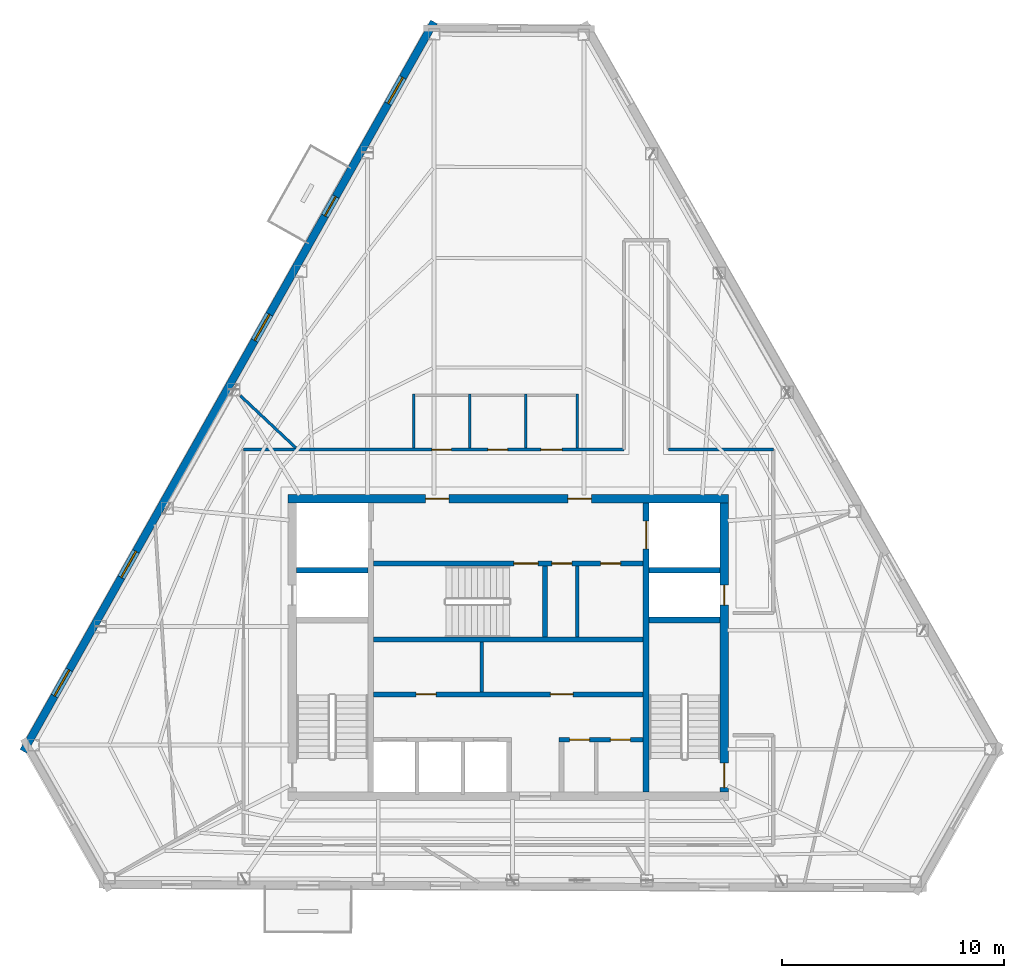
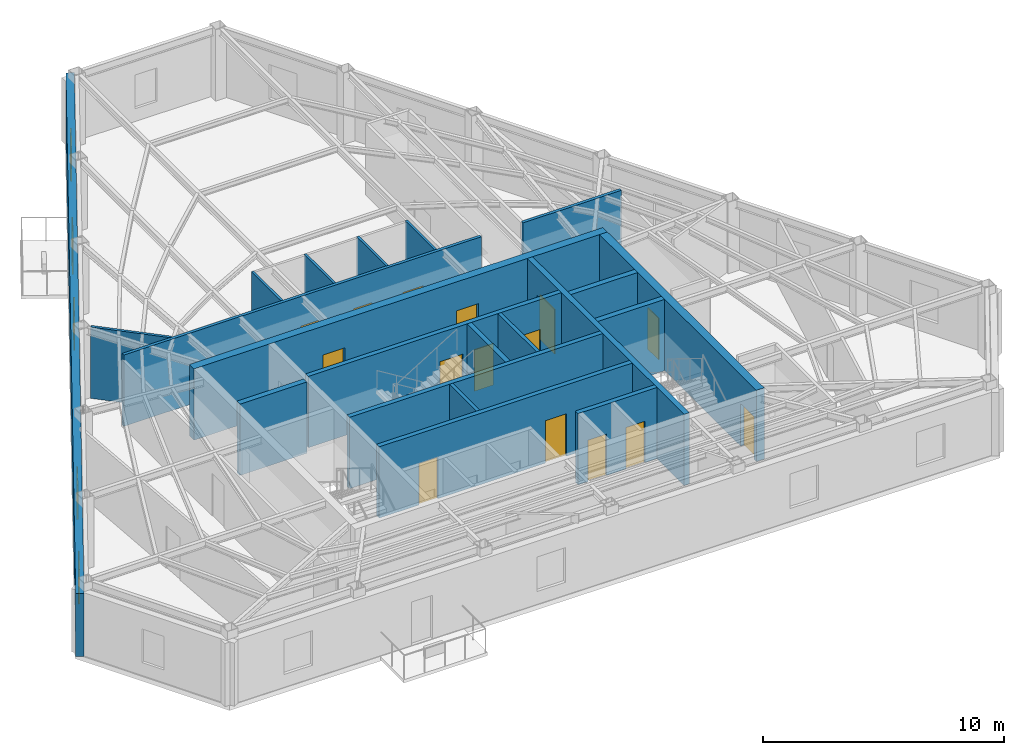
# One storey, part 8 of 10: 21 walls, 16 doors, 4 windows, 20 openings.
"""IFC4 building model written with IfcOpenShell, lengths in metres."""

from ifc_helpers import new_model, si_unit, direction, frame, frame_2d, origin, place, context, subcontext, project, spatial, rectangle, extrude, material, layer, layer_set, type_object, element, fill, save


model = new_model("IFC4")

# Units and contexts
model_context = context("Model", 3, precision=1e-05, world=origin(), true_north=direction((0.0, 1.0)))
body_context = subcontext(model_context, "Body", "Model", "MODEL_VIEW")
ifc_project = project(units=[si_unit("LENGTHUNIT", "METRE"), si_unit("AREAUNIT", "SQUARE_METRE"), si_unit("VOLUMEUNIT", "CUBIC_METRE"), si_unit("PLANEANGLEUNIT", "RADIAN"), si_unit("MASSUNIT", "GRAM", prefix="KILO")], contexts=[model_context])

# Site, building, storey
site_placement = place(None, origin())
site = spatial("IfcSite", under=ifc_project, at=site_placement, CompositionType="ELEMENT")
building_placement = place(site_placement, origin())
building = spatial("IfcBuilding", under=site, at=building_placement, Name="Kavelnor Concourse Tower", CompositionType="ELEMENT")
storey_placement = place(building_placement, frame((0.0, 0.0, 239.5)))
storey = spatial("IfcBuildingStorey", under=building, at=storey_placement, Name="L60", CompositionType="ELEMENT", Elevation=239.5)

# Wall, openings, doors
ifc_material_1 = material(Name="Concrete C50/60", Category="concrete")
ifc_layer_1 = layer(ifc_material_1, 0.3798828125, Name="Concrete C50/60")
ifc_layer_set_1 = layer_set([ifc_layer_1], Name="Concrete C50/60")
wall_type_1 = type_object("IfcWallType", Name="WL-CORE-Z4-380", PredefinedType="SOLIDWALL", material=ifc_layer_set_1)
wall_1_placement = place(storey_placement, frame((28.10009765625, 22.7900390625, 0.0), z_axis=(0.0, 0.0, 1.0), x_axis=(1.0, 0.0, 0.0)))
wall_1 = element("IfcWall", 1, at=wall_1_placement, inside=storey, type_object=wall_type_1, Name="L60 Central Core North Shear Wall", PredefinedType="SOLIDWALL", context=body_context, shape_type="SweptSolid", body=[
    extrude(rectangle(XDim=19.7998046875, YDim=0.3798828125, at=frame_2d((9.89990234375, 0.0))), origin(), (0.0, 0.0, 1.0), 3.610107421875),
])
opening_1_placement = place(wall_1_placement, frame((6.175048828125, 0.0, 0.0)))
opening_1 = element("IfcOpeningElement", 2, at=opening_1_placement, cuts=wall_1, Name="Opening FD-105", PredefinedType="OPENING", context=body_context, shape_type="SweptSolid", body=[
    extrude(rectangle(XDim=1.050048828125, YDim=2.14990234375, at=frame_2d((0.52490234375, 1.074951171875))), frame((0.0, 0.199951171875, 0.0), z_axis=(0.0, -1.0, 0.0), x_axis=(1.0, 0.0, 0.0)), (0.0, 0.0, 1.0), 0.39990234375),
])
opening_2_placement = place(wall_1_placement, frame((12.574951171875, 0.0, 0.0)))
opening_2 = element("IfcOpeningElement", 3, at=opening_2_placement, cuts=wall_1, Name="Opening FD-105", PredefinedType="OPENING", context=body_context, shape_type="SweptSolid", body=[
    extrude(rectangle(XDim=1.050048828125, YDim=2.14990234375, at=frame_2d((0.52490234375, 1.074951171875))), frame((0.0, 0.199951171875, 0.0), z_axis=(0.0, -1.0, 0.0), x_axis=(1.0, 0.0, 0.0)), (0.0, 0.0, 1.0), 0.39990234375),
])
ifc_material_2 = material(Name="Steel Grade 350", Category="steel")
door_type_1 = type_object("IfcDoorType", Name="DR-LOBBY-FIRE-1050", OperationType="NOTDEFINED", PredefinedType="DOOR", material=ifc_material_2)
door_1_placement = place(opening_1_placement, origin())
door_1 = element("IfcDoor", 4, at=door_1_placement, inside=storey, type_object=door_type_1, Name="L60 Emergency Lift Lobby West Door", OperationType="SINGLE_SWING_LEFT", OverallHeight=2.14990234375, OverallWidth=1.050048828125, PredefinedType="DOOR", context=body_context, shape_type="SweptSolid", body=[
    extrude(rectangle(XDim=1.050048828125, YDim=2.14990234375, at=frame_2d((0.52490234375, 1.074951171875))), frame((0.0, 0.02490234375, 0.0), z_axis=(0.0, -1.0, 0.0), x_axis=(1.0, 0.0, 0.0)), (0.0, 0.0, 1.0), 0.050048828125),
])
fill(opening_1, door_1)
door_2_placement = place(opening_2_placement, origin())
door_2 = element("IfcDoor", 5, at=door_2_placement, inside=storey, type_object=door_type_1, Name="L60 Emergency Lift Lobby East Door", OperationType="SINGLE_SWING_RIGHT", OverallHeight=2.14990234375, OverallWidth=1.050048828125, PredefinedType="DOOR", context=body_context, shape_type="SweptSolid", body=[
    extrude(rectangle(XDim=1.050048828125, YDim=2.14990234375, at=frame_2d((0.52490234375, 1.074951171875))), frame((0.0, 0.02490234375, 0.0), z_axis=(0.0, -1.0, 0.0), x_axis=(1.0, 0.0, 0.0)), (0.0, 0.0, 1.0), 0.050048828125),
])
fill(opening_2, door_2)

wall_2_placement = place(storey_placement, frame((47.7099609375, 9.60009765625, 0.0), z_axis=(0.0, 0.0, 1.0), x_axis=(0.0, 1.0, 0.0)))
wall_2 = element("IfcWall", 6, at=wall_2_placement, inside=storey, type_object=wall_type_1, Name="L60 Central Core East Shear Wall", PredefinedType="SOLIDWALL", context=body_context, shape_type="SweptSolid", body=[
    extrude(rectangle(XDim=13.0, YDim=0.3798828125, at=frame_2d((6.5, 0.0))), origin(), (0.0, 0.0, 1.0), 3.610107421875),
])
opening_3_placement = place(wall_2_placement, frame((0.199951171875, 0.0, 0.0)))
opening_3 = element("IfcOpeningElement", 7, at=opening_3_placement, cuts=wall_2, Name="Opening FD-110", PredefinedType="OPENING", context=body_context, shape_type="SweptSolid", body=[
    extrude(rectangle(XDim=1.10009765625, YDim=2.14990234375, at=frame_2d((0.550048828125, 1.074951171875))), frame((0.0, 0.199951171875, 0.0), z_axis=(0.0, -1.0, 0.0), x_axis=(1.0, 0.0, 0.0)), (0.0, 0.0, 1.0), 0.39990234375),
])
opening_4_placement = place(wall_2_placement, frame((8.39990234375, 0.0, 0.0)))
opening_4 = element("IfcOpeningElement", 8, at=opening_4_placement, cuts=wall_2, Name="Opening FD-090", PredefinedType="OPENING", context=body_context, shape_type="SweptSolid", body=[
    extrude(rectangle(XDim=0.89990234375, YDim=2.10009765625, at=frame_2d((0.449951171875, 1.050048828125))), frame((0.0, 0.199951171875, 0.0), z_axis=(0.0, -1.0, 0.0), x_axis=(1.0, 0.0, 0.0)), (0.0, 0.0, 1.0), 0.39990234375),
])
door_type_2 = type_object("IfcDoorType", Name="DR-RISER-FIRE-900", OperationType="NOTDEFINED", PredefinedType="DOOR", material=ifc_material_2)
door_3_placement = place(opening_4_placement, origin())
door_3 = element("IfcDoor", 9, at=door_3_placement, inside=storey, type_object=door_type_2, Name="L60 East Riser Access Door", OperationType="SINGLE_SWING_LEFT", OverallHeight=2.10009765625, OverallWidth=0.89990234375, PredefinedType="DOOR", context=body_context, shape_type="SweptSolid", body=[
    extrude(rectangle(XDim=0.89990234375, YDim=2.10009765625, at=frame_2d((0.449951171875, 1.050048828125))), frame((0.0, 0.02490234375, 0.0), z_axis=(0.0, -1.0, 0.0), x_axis=(1.0, 0.0, 0.0)), (0.0, 0.0, 1.0), 0.050048828125),
])
fill(opening_4, door_3)
door_type_3 = type_object("IfcDoorType", Name="DR-STAIR-FIRE-1100", OperationType="NOTDEFINED", PredefinedType="DOOR", material=ifc_material_2)
door_4_placement = place(opening_3_placement, origin())
door_4 = element("IfcDoor", 10, at=door_4_placement, inside=storey, type_object=door_type_3, Name="L60 Stair ST2 Fire Door", OperationType="SINGLE_SWING_RIGHT", OverallHeight=2.14990234375, OverallWidth=1.10009765625, PredefinedType="DOOR", context=body_context, shape_type="SweptSolid", body=[
    extrude(rectangle(XDim=1.10009765625, YDim=2.14990234375, at=frame_2d((0.550048828125, 1.074951171875))), frame((0.0, 0.02490234375, 0.0), z_axis=(0.0, -1.0, 0.0), x_axis=(1.0, 0.0, 0.0)), (0.0, 0.0, 1.0), 0.050048828125),
])
fill(opening_3, door_4)

# Wall, openings, door, windows
ifc_material_3 = material(Name="Red-ochre clay face brick masonry", Category="masonry")
ifc_layer_2 = layer(ifc_material_3, 0.35009765625, Name="Red-ochre clay face brick masonry")
ifc_layer_set_2 = layer_set([ifc_layer_2], Name="Red-ochre clay face brick masonry")
wall_type_2 = type_object("IfcWallType", Name="WL-EXT-RED-BRICK-PIER-350", PredefinedType="STANDARD", material=ifc_layer_set_2)
wall_3_placement = place(storey_placement, frame((16.19580078125, 11.427001953125, 0.0), z_axis=(0.0, 0.0, 1.0), x_axis=(0.490622807514, 0.871372056442, 0.0)))
wall_3 = element("IfcWall", 11, at=wall_3_placement, inside=storey, type_object=wall_type_2, Name="L60 Exterior Brick Facade Wall E1", PredefinedType="STANDARD", context=body_context, shape_type="SweptSolid", body=[
    extrude(rectangle(XDim=37.632080078125, YDim=0.35009765625, at=frame_2d((18.81591796875, 0.0))), origin(), (0.0, 0.0, 1.0), 3.196044921875),
])
opening_5_placement = place(wall_3_placement, frame((27.623779296875, 0.0, 0.0)))
opening_5 = element("IfcOpeningElement", 12, at=opening_5_placement, cuts=wall_3, Name="Opening BD-100", PredefinedType="OPENING", context=body_context, shape_type="SweptSolid", body=[
    extrude(rectangle(XDim=1.0, YDim=2.199951171875, at=frame_2d((0.5, 1.10009765625))), frame((0.0, 0.18505859375, 0.0), z_axis=(0.0, -1.0, 0.0), x_axis=(1.0, 0.0, 0.0)), (0.0, 0.0, 1.0), 0.3701171875),
])
opening_6_placement = place(wall_3_placement, frame((33.41845703125, 0.0, 0.64990234375)))
opening_6 = element("IfcOpeningElement", 13, at=opening_6_placement, cuts=wall_3, Name="Opening W-04", PredefinedType="OPENING", context=body_context, shape_type="SweptSolid", body=[
    extrude(rectangle(XDim=1.35009765625, YDim=1.75, at=frame_2d((0.675048828125, 0.875))), frame((0.0, 0.18505859375, 0.0), z_axis=(0.0, -1.0, 0.0), x_axis=(1.0, 0.0, 0.0)), (0.0, 0.0, 1.0), 0.3701171875),
])
opening_7_placement = place(wall_3_placement, frame((21.1923828125, 0.0, 0.64990234375)))
opening_7 = element("IfcOpeningElement", 14, at=opening_7_placement, cuts=wall_3, Name="Opening W-04", PredefinedType="OPENING", context=body_context, shape_type="SweptSolid", body=[
    extrude(rectangle(XDim=1.35009765625, YDim=1.75, at=frame_2d((0.675048828125, 0.875))), frame((0.0, 0.18505859375, 0.0), z_axis=(0.0, -1.0, 0.0), x_axis=(1.0, 0.0, 0.0)), (0.0, 0.0, 1.0), 0.3701171875),
])
opening_8_placement = place(wall_3_placement, frame((8.96630859375, 0.0, 0.64990234375)))
opening_8 = element("IfcOpeningElement", 15, at=opening_8_placement, cuts=wall_3, Name="Opening W-04", PredefinedType="OPENING", context=body_context, shape_type="SweptSolid", body=[
    extrude(rectangle(XDim=1.35009765625, YDim=1.75, at=frame_2d((0.675048828125, 0.875))), frame((0.0, 0.18505859375, 0.0), z_axis=(0.0, -1.0, 0.0), x_axis=(1.0, 0.0, 0.0)), (0.0, 0.0, 1.0), 0.3701171875),
])
opening_9_placement = place(wall_3_placement, frame((2.853271484375, 0.0, 0.64990234375)))
opening_9 = element("IfcOpeningElement", 16, at=opening_9_placement, cuts=wall_3, Name="Opening W-04", PredefinedType="OPENING", context=body_context, shape_type="SweptSolid", body=[
    extrude(rectangle(XDim=1.35009765625, YDim=1.75, at=frame_2d((0.675048828125, 0.875))), frame((0.0, 0.18505859375, 0.0), z_axis=(0.0, -1.0, 0.0), x_axis=(1.0, 0.0, 0.0)), (0.0, 0.0, 1.0), 0.3701171875),
])
ifc_material_4 = material(Name="Anodised aluminium 6063-T6", Category="aluminium")
door_type_4 = type_object("IfcDoorType", Name="DR-BALCONY-EXT-1000", OperationType="NOTDEFINED", PredefinedType="DOOR", material=ifc_material_4)
door_5_placement = place(opening_5_placement, origin())
door_5 = element("IfcDoor", 17, at=door_5_placement, inside=storey, type_object=door_type_4, Name="L60 Tree Balcony 1 Glazed Door", OperationType="SINGLE_SWING_LEFT", OverallHeight=2.199951171875, OverallWidth=1.0, PredefinedType="DOOR", context=body_context, shape_type="SweptSolid", body=[
    extrude(rectangle(XDim=1.0, YDim=2.199951171875, at=frame_2d((0.5, 1.10009765625))), frame((0.0, 0.02490234375, 0.0), z_axis=(0.0, -1.0, 0.0), x_axis=(1.0, 0.0, 0.0)), (0.0, 0.0, 1.0), 0.050048828125),
])
fill(opening_5, door_5)
ifc_material_5 = material(Name="Double low-E argon insulated glazing", Category="glass")
window_type = type_object("IfcWindowType", Name="WIN-PIER-Z4-1350", PartitioningType="SINGLE_PANEL", PredefinedType="WINDOW", material=ifc_material_5)
window_1_placement = place(opening_6_placement, origin())
window_1 = element("IfcWindow", 18, at=window_1_placement, inside=storey, type_object=window_type, Name="L60 Deep-Set Brick Pier Window F0-B0", OverallHeight=1.75, OverallWidth=1.35009765625, PartitioningType="SINGLE_PANEL", PredefinedType="WINDOW", context=body_context, shape_type="SweptSolid", body=[
    extrude(rectangle(XDim=1.35009765625, YDim=1.75, at=frame_2d((0.675048828125, 0.875))), frame((0.0, 0.030029296875, 0.0), z_axis=(0.0, -1.0, 0.0), x_axis=(1.0, 0.0, 0.0)), (0.0, 0.0, 1.0), 0.06005859375),
])
fill(opening_6, window_1)
window_2_placement = place(opening_7_placement, origin())
window_2 = element("IfcWindow", 19, at=window_2_placement, inside=storey, type_object=window_type, Name="L60 Deep-Set Brick Pier Window F0-B2", OverallHeight=1.75, OverallWidth=1.35009765625, PartitioningType="SINGLE_PANEL", PredefinedType="WINDOW", context=body_context, shape_type="SweptSolid", body=[
    extrude(rectangle(XDim=1.35009765625, YDim=1.75, at=frame_2d((0.675048828125, 0.875))), frame((0.0, 0.030029296875, 0.0), z_axis=(0.0, -1.0, 0.0), x_axis=(1.0, 0.0, 0.0)), (0.0, 0.0, 1.0), 0.06005859375),
])
fill(opening_7, window_2)
window_3_placement = place(opening_8_placement, origin())
window_3 = element("IfcWindow", 20, at=window_3_placement, inside=storey, type_object=window_type, Name="L60 Deep-Set Brick Pier Window F0-B4", OverallHeight=1.75, OverallWidth=1.35009765625, PartitioningType="SINGLE_PANEL", PredefinedType="WINDOW", context=body_context, shape_type="SweptSolid", body=[
    extrude(rectangle(XDim=1.35009765625, YDim=1.75, at=frame_2d((0.675048828125, 0.875))), frame((0.0, 0.030029296875, 0.0), z_axis=(0.0, -1.0, 0.0), x_axis=(1.0, 0.0, 0.0)), (0.0, 0.0, 1.0), 0.06005859375),
])
fill(opening_8, window_3)
window_4_placement = place(opening_9_placement, origin())
window_4 = element("IfcWindow", 21, at=window_4_placement, inside=storey, type_object=window_type, Name="L60 Deep-Set Brick Pier Window F0-B5", OverallHeight=1.75, OverallWidth=1.35009765625, PartitioningType="SINGLE_PANEL", PredefinedType="WINDOW", context=body_context, shape_type="SweptSolid", body=[
    extrude(rectangle(XDim=1.35009765625, YDim=1.75, at=frame_2d((0.675048828125, 0.875))), frame((0.0, 0.030029296875, 0.0), z_axis=(0.0, -1.0, 0.0), x_axis=(1.0, 0.0, 0.0)), (0.0, 0.0, 1.0), 0.06005859375),
])
fill(opening_9, window_4)

# Wall
ifc_material_6 = material(Name="Gypsum plasterboard on light-gauge steel studs", Category="steel")
ifc_layer_3 = layer(ifc_material_6, 0.14501953125, Name="Gypsum plasterboard on light-gauge steel studs")
ifc_layer_set_3 = layer_set([ifc_layer_3], Name="Gypsum plasterboard on light-gauge steel studs")
wall_type_3 = type_object("IfcWallType", Name="WL-INT-CORR-145", PredefinedType="PARTITIONING", material=ifc_layer_set_3)
wall_4_placement = place(storey_placement, frame((45.199951171875, 24.989990234375, 0.0), z_axis=(0.0, 0.0, 1.0), x_axis=(1.0, 0.0, 0.0)))
element("IfcWall", 22, at=wall_4_placement, inside=storey, type_object=wall_type_3, Name="L60 Corridor Wall WL-L60-CR-04", PredefinedType="PARTITIONING", context=body_context, shape_type="SweptSolid", body=[
    extrude(rectangle(XDim=4.7099609375, YDim=0.14501953125, at=frame_2d((2.35498046875, 0.0))), origin(), (0.0, 0.0, 1.0), 3.610107421875),
])

# Wall, openings, doors
wall_5_placement = place(storey_placement, frame((26.090087890625, 24.989990234375, 0.0), z_axis=(0.0, 0.0, 1.0), x_axis=(1.0, 0.0, 0.0)))
wall_5 = element("IfcWall", 23, at=wall_5_placement, inside=storey, type_object=wall_type_3, Name="L60 Corridor Wall WL-L60-CR-11", PredefinedType="PARTITIONING", context=body_context, shape_type="SweptSolid", body=[
    extrude(rectangle(XDim=17.10986328125, YDim=0.14501953125, at=frame_2d((8.554931640625, 0.0))), origin(), (0.0, 0.0, 1.0), 3.610107421875),
])
opening_10_placement = place(wall_5_placement, frame((8.469970703125, 0.0, 0.0)))
opening_10 = element("IfcOpeningElement", 24, at=opening_10_placement, cuts=wall_5, Name="Opening WD-088", PredefinedType="OPENING", context=body_context, shape_type="SweptSolid", body=[
    extrude(rectangle(XDim=0.8798828125, YDim=2.10009765625, at=frame_2d((0.43994140625, 1.050048828125))), frame((0.0, 0.08251953125, 0.0), z_axis=(0.0, -1.0, 0.0), x_axis=(1.0, 0.0, 0.0)), (0.0, 0.0, 1.0), 0.1650390625),
])
opening_11_placement = place(wall_5_placement, frame((10.989990234375, 0.0, 0.0)))
opening_11 = element("IfcOpeningElement", 25, at=opening_11_placement, cuts=wall_5, Name="Opening WD-088", PredefinedType="OPENING", context=body_context, shape_type="SweptSolid", body=[
    extrude(rectangle(XDim=0.8798828125, YDim=2.10009765625, at=frame_2d((0.43994140625, 1.050048828125))), frame((0.0, 0.08251953125, 0.0), z_axis=(0.0, -1.0, 0.0), x_axis=(1.0, 0.0, 0.0)), (0.0, 0.0, 1.0), 0.1650390625),
])
opening_12_placement = place(wall_5_placement, frame((13.3701171875, 0.0, 0.0)))
opening_12 = element("IfcOpeningElement", 26, at=opening_12_placement, cuts=wall_5, Name="Opening WD-096", PredefinedType="OPENING", context=body_context, shape_type="SweptSolid", body=[
    extrude(rectangle(XDim=0.9599609375, YDim=2.10009765625, at=frame_2d((0.47998046875, 1.050048828125))), frame((0.0, 0.08251953125, 0.0), z_axis=(0.0, -1.0, 0.0), x_axis=(1.0, 0.0, 0.0)), (0.0, 0.0, 1.0), 0.1650390625),
])
ifc_material_7 = material(Name="Solid-core hardwood timber", Category="wood")
door_type_5 = type_object("IfcDoorType", Name="DR-WC-ACC-960", OperationType="NOTDEFINED", PredefinedType="DOOR", material=ifc_material_7)
door_6_placement = place(opening_12_placement, origin())
door_6 = element("IfcDoor", 27, at=door_6_placement, inside=storey, type_object=door_type_5, Name="L60 Accessible WC Door", OperationType="SINGLE_SWING_RIGHT", OverallHeight=2.10009765625, OverallWidth=0.9599609375, PredefinedType="DOOR", context=body_context, shape_type="SweptSolid", body=[
    extrude(rectangle(XDim=0.9599609375, YDim=2.10009765625, at=frame_2d((0.47998046875, 1.050048828125))), frame((0.0, 0.02490234375, 0.0), z_axis=(0.0, -1.0, 0.0), x_axis=(1.0, 0.0, 0.0)), (0.0, 0.0, 1.0), 0.050048828125),
])
fill(opening_12, door_6)
door_type_6 = type_object("IfcDoorType", Name="DR-WC-STD-880", OperationType="NOTDEFINED", PredefinedType="DOOR", material=ifc_material_7)
door_7_placement = place(opening_10_placement, origin())
door_7 = element("IfcDoor", 28, at=door_7_placement, inside=storey, type_object=door_type_6, Name="L60 Male WC Door", OperationType="SINGLE_SWING_RIGHT", OverallHeight=2.10009765625, OverallWidth=0.8798828125, PredefinedType="DOOR", context=body_context, shape_type="SweptSolid", body=[
    extrude(rectangle(XDim=0.8798828125, YDim=2.10009765625, at=frame_2d((0.43994140625, 1.050048828125))), frame((0.0, 0.02490234375, 0.0), z_axis=(0.0, -1.0, 0.0), x_axis=(1.0, 0.0, 0.0)), (0.0, 0.0, 1.0), 0.050048828125),
])
fill(opening_10, door_7)
door_8_placement = place(opening_11_placement, origin())
door_8 = element("IfcDoor", 29, at=door_8_placement, inside=storey, type_object=door_type_6, Name="L60 Female WC Door", OperationType="SINGLE_SWING_LEFT", OverallHeight=2.10009765625, OverallWidth=0.8798828125, PredefinedType="DOOR", context=body_context, shape_type="SweptSolid", body=[
    extrude(rectangle(XDim=0.8798828125, YDim=2.10009765625, at=frame_2d((0.43994140625, 1.050048828125))), frame((0.0, 0.02490234375, 0.0), z_axis=(0.0, -1.0, 0.0), x_axis=(1.0, 0.0, 0.0)), (0.0, 0.0, 1.0), 0.050048828125),
])
fill(opening_11, door_8)

# Walls
ifc_layer_4 = layer(ifc_material_6, 0.1650390625, Name="Gypsum plasterboard on light-gauge steel studs")
ifc_layer_set_4 = layer_set([ifc_layer_4], Name="Gypsum plasterboard on light-gauge steel studs")
wall_type_4 = type_object("IfcWallType", Name="WL-INT-FIRE-165", PredefinedType="PARTITIONING", material=ifc_layer_set_4)
wall_6_placement = place(storey_placement, frame((36.800048828125, 14.10009765625, 0.0), z_axis=(0.0, 0.0, 1.0), x_axis=(0.0, 1.0, 0.0)))
element("IfcWall", 30, at=wall_6_placement, inside=storey, type_object=wall_type_4, Name="L60 Reclaimed Core Partition A", PredefinedType="PARTITIONING", context=body_context, shape_type="SweptSolid", body=[
    extrude(rectangle(XDim=2.239990234375, YDim=0.1650390625, at=frame_2d((1.1201171875, 0.0))), origin(), (0.0, 0.0, 1.0), 3.610107421875),
])
wall_7_placement = place(storey_placement, frame((41.10009765625, 16.56005859375, 0.0), z_axis=(0.0, 0.0, 1.0), x_axis=(0.0, 1.0, 0.0)))
element("IfcWall", 31, at=wall_7_placement, inside=storey, type_object=wall_type_4, Name="L60 Core Support West Divider", PredefinedType="PARTITIONING", context=body_context, shape_type="SweptSolid", body=[
    extrude(rectangle(XDim=3.199951171875, YDim=0.1650390625, at=frame_2d((1.60009765625, 0.0))), origin(), (0.0, 0.0, 1.0), 3.610107421875),
])
ifc_layer_5 = layer(ifc_material_6, 0.125, Name="Gypsum plasterboard on light-gauge steel studs")
ifc_layer_set_5 = layer_set([ifc_layer_5], Name="Gypsum plasterboard on light-gauge steel studs")
wall_type_5 = type_object("IfcWallType", Name="WL-INT-SUITE-125", PredefinedType="PARTITIONING", material=ifc_layer_set_5)
wall_8_placement = place(storey_placement, frame((28.44580078125, 25.070556640625, 0.0), z_axis=(0.0, 0.0, 1.0), x_axis=(-0.729059244578, 0.684450595657, 0.0)))
element("IfcWall", 32, at=wall_8_placement, inside=storey, type_object=wall_type_5, Name="L60 Radial Suite Partition 02", PredefinedType="PARTITIONING", context=body_context, shape_type="SweptSolid", body=[
    extrude(rectangle(XDim=3.426025390625, YDim=0.125, at=frame_2d((1.712890625, 0.0))), origin(), (0.0, 0.0, 1.0), 3.610107421875),
])
ifc_layer_6 = layer(ifc_material_6, 0.110107421875, Name="Gypsum plasterboard on light-gauge steel studs")
ifc_layer_set_6 = layer_set([ifc_layer_6], Name="Gypsum plasterboard on light-gauge steel studs")
wall_type_6 = type_object("IfcWallType", Name="WL-INT-WC-110", PredefinedType="PLUMBINGWALL", material=ifc_layer_set_6)
for number, where, z_axis, x_axis, name in (
    (33, (33.739990234375, 25.06005859375, 0.0), (0.0, 0.0, 1.0), (0.0, 1.0, 0.0), "L60 Sanitary Partition WL-L60-WC-W"),
    (34, (36.260009765625, 25.06005859375, 0.0), (0.0, 0.0, 1.0), (0.0, 1.0, 0.0), "L60 Sanitary Partition WL-L60-WC-D1"),
    (35, (38.780029296875, 25.06005859375, 0.0), (0.0, 0.0, 1.0), (0.0, 1.0, 0.0), "L60 Sanitary Partition WL-L60-WC-D2"),
    (36, (41.10009765625, 25.06005859375, 0.0), (0.0, 0.0, 1.0), (0.0, 1.0, 0.0), "L60 Sanitary Partition WL-L60-WC-E"),
):
    element("IfcWall", number, at=place(storey_placement, frame(where, z_axis=z_axis, x_axis=x_axis)), inside=storey, type_object=wall_type_6, Name=name, PredefinedType="PLUMBINGWALL", context=body_context, shape_type="SweptSolid", body=[
        extrude(rectangle(XDim=2.43994140625, YDim=0.110107421875, at=frame_2d((1.219970703125, 0.0))), origin(), (0.0, 0.0, 1.0), 3.610107421875),
    ])

# Wall, openings, doors
ifc_layer_7 = layer(ifc_material_1, 0.219970703125, Name="Concrete C50/60")
ifc_layer_set_7 = layer_set([ifc_layer_7], Name="Concrete C50/60")
wall_type_7 = type_object("IfcWallType", Name="WL-SHAFT-220", PredefinedType="SOLIDWALL", material=ifc_layer_set_7)
wall_9_placement = place(storey_placement, frame((31.93994140625, 19.8701171875, 0.0), z_axis=(0.0, 0.0, 1.0), x_axis=(1.0, 0.0, 0.0)))
wall_9 = element("IfcWall", 37, at=wall_9_placement, inside=storey, type_object=wall_type_7, Name="L60 Emergency Lift Lobby South Wall", PredefinedType="SOLIDWALL", context=body_context, shape_type="SweptSolid", body=[
    extrude(rectangle(XDim=12.1201171875, YDim=0.219970703125, at=frame_2d((6.06005859375, 0.0))), origin(), (0.0, 0.0, 1.0), 3.610107421875),
])
opening_13_placement = place(wall_9_placement, frame((6.300048828125, 0.0, 0.0)))
opening_13 = element("IfcOpeningElement", 38, at=opening_13_placement, cuts=wall_9, Name="Opening FD-110", PredefinedType="OPENING", context=body_context, shape_type="SweptSolid", body=[
    extrude(rectangle(XDim=1.10009765625, YDim=2.14990234375, at=frame_2d((0.550048828125, 1.074951171875))), frame((0.0, 0.1201171875, 0.0), z_axis=(0.0, -1.0, 0.0), x_axis=(1.0, 0.0, 0.0)), (0.0, 0.0, 1.0), 0.239990234375),
])
opening_14_placement = place(wall_9_placement, frame((8.010009765625, 0.0, 0.0)))
opening_14 = element("IfcOpeningElement", 39, at=opening_14_placement, cuts=wall_9, Name="Opening FD-090", PredefinedType="OPENING", context=body_context, shape_type="SweptSolid", body=[
    extrude(rectangle(XDim=0.89990234375, YDim=2.10009765625, at=frame_2d((0.449951171875, 1.050048828125))), frame((0.0, 0.1201171875, 0.0), z_axis=(0.0, -1.0, 0.0), x_axis=(1.0, 0.0, 0.0)), (0.0, 0.0, 1.0), 0.239990234375),
])
opening_15_placement = place(wall_9_placement, frame((10.2099609375, 0.0, 0.0)))
opening_15 = element("IfcOpeningElement", 40, at=opening_15_placement, cuts=wall_9, Name="Opening FD-090", PredefinedType="OPENING", context=body_context, shape_type="SweptSolid", body=[
    extrude(rectangle(XDim=0.89990234375, YDim=2.10009765625, at=frame_2d((0.449951171875, 1.050048828125))), frame((0.0, 0.1201171875, 0.0), z_axis=(0.0, -1.0, 0.0), x_axis=(1.0, 0.0, 0.0)), (0.0, 0.0, 1.0), 0.239990234375),
])
door_9_placement = place(opening_14_placement, origin())
door_9 = element("IfcDoor", 41, at=door_9_placement, inside=storey, type_object=door_type_2, Name="L60 Cleaner Door", OperationType="SINGLE_SWING_RIGHT", OverallHeight=2.10009765625, OverallWidth=0.89990234375, PredefinedType="DOOR", context=body_context, shape_type="SweptSolid", body=[
    extrude(rectangle(XDim=0.89990234375, YDim=2.10009765625, at=frame_2d((0.449951171875, 1.050048828125))), frame((0.0, 0.02490234375, 0.0), z_axis=(0.0, -1.0, 0.0), x_axis=(1.0, 0.0, 0.0)), (0.0, 0.0, 1.0), 0.050048828125),
])
fill(opening_14, door_9)
door_10_placement = place(opening_15_placement, origin())
door_10 = element("IfcDoor", 42, at=door_10_placement, inside=storey, type_object=door_type_2, Name="L60 UPS Room Door", OperationType="SINGLE_SWING_LEFT", OverallHeight=2.10009765625, OverallWidth=0.89990234375, PredefinedType="DOOR", context=body_context, shape_type="SweptSolid", body=[
    extrude(rectangle(XDim=0.89990234375, YDim=2.10009765625, at=frame_2d((0.449951171875, 1.050048828125))), frame((0.0, 0.02490234375, 0.0), z_axis=(0.0, -1.0, 0.0), x_axis=(1.0, 0.0, 0.0)), (0.0, 0.0, 1.0), 0.050048828125),
])
fill(opening_15, door_10)
door_11_placement = place(opening_13_placement, origin())
door_11 = element("IfcDoor", 43, at=door_11_placement, inside=storey, type_object=door_type_3, Name="L60 Stair ST3 Fire Door", OperationType="SINGLE_SWING_LEFT", OverallHeight=2.14990234375, OverallWidth=1.10009765625, PredefinedType="DOOR", context=body_context, shape_type="SweptSolid", body=[
    extrude(rectangle(XDim=1.10009765625, YDim=2.14990234375, at=frame_2d((0.550048828125, 1.074951171875))), frame((0.0, 0.02490234375, 0.0), z_axis=(0.0, -1.0, 0.0), x_axis=(1.0, 0.0, 0.0)), (0.0, 0.0, 1.0), 0.050048828125),
])
fill(opening_13, door_11)

# Walls
wall_10_placement = place(storey_placement, frame((31.93994140625, 16.449951171875, 0.0), z_axis=(0.0, 0.0, 1.0), x_axis=(1.0, 0.0, 0.0)))
element("IfcWall", 44, at=wall_10_placement, inside=storey, type_object=wall_type_7, Name="L60 Stair ST3 South Core Wall", PredefinedType="SOLIDWALL", context=body_context, shape_type="SweptSolid", body=[
    extrude(rectangle(XDim=12.1201171875, YDim=0.219970703125, at=frame_2d((6.06005859375, 0.0))), origin(), (0.0, 0.0, 1.0), 3.610107421875),
])
wall_11_placement = place(storey_placement, frame((39.64990234375, 16.56005859375, 0.0), z_axis=(0.0, 0.0, 1.0), x_axis=(0.0, 1.0, 0.0)))
element("IfcWall", 45, at=wall_11_placement, inside=storey, type_object=wall_type_7, Name="L60 Stair ST3 East Core Wall", PredefinedType="SOLIDWALL", context=body_context, shape_type="SweptSolid", body=[
    extrude(rectangle(XDim=3.199951171875, YDim=0.219970703125, at=frame_2d((1.60009765625, 0.0))), origin(), (0.0, 0.0, 1.0), 3.610107421875),
])

# Wall, openings, doors
wall_12_placement = place(storey_placement, frame((31.93994140625, 13.989990234375, 0.0), z_axis=(0.0, 0.0, 1.0), x_axis=(1.0, 0.0, 0.0)))
wall_12 = element("IfcWall", 46, at=wall_12_placement, inside=storey, type_object=wall_type_7, Name="L60 North Lift Row Shaft Wall", PredefinedType="SOLIDWALL", context=body_context, shape_type="SweptSolid", body=[
    extrude(rectangle(XDim=12.1201171875, YDim=0.219970703125, at=frame_2d((6.06005859375, 0.0))), origin(), (0.0, 0.0, 1.0), 3.610107421875),
])
opening_16_placement = place(wall_12_placement, frame((1.909912109375, 0.0, 0.0)))
opening_16 = element("IfcOpeningElement", 47, at=opening_16_placement, cuts=wall_12, Name="Opening FD-090", PredefinedType="OPENING", context=body_context, shape_type="SweptSolid", body=[
    extrude(rectangle(XDim=0.89990234375, YDim=2.10009765625, at=frame_2d((0.449951171875, 1.050048828125))), frame((0.0, 0.1201171875, 0.0), z_axis=(0.0, -1.0, 0.0), x_axis=(1.0, 0.0, 0.0)), (0.0, 0.0, 1.0), 0.239990234375),
])
opening_17_placement = place(wall_12_placement, frame((7.949951171875, 0.0, 0.0)))
opening_17 = element("IfcOpeningElement", 48, at=opening_17_placement, cuts=wall_12, Name="Opening MD-102", PredefinedType="OPENING", context=body_context, shape_type="SweptSolid", body=[
    extrude(rectangle(XDim=1.02001953125, YDim=2.14990234375, at=frame_2d((0.510009765625, 1.074951171875))), frame((0.0, 0.1201171875, 0.0), z_axis=(0.0, -1.0, 0.0), x_axis=(1.0, 0.0, 0.0)), (0.0, 0.0, 1.0), 0.239990234375),
])
ifc_material_8 = material(Name="Acoustic glazed timber frame", Category="wood")
door_type_7 = type_object("IfcDoorType", Name="DR-MEETING-1020", OperationType="NOTDEFINED", PredefinedType="DOOR", material=ifc_material_8)
door_12_placement = place(opening_17_placement, origin())
door_12 = element("IfcDoor", 49, at=door_12_placement, inside=storey, type_object=door_type_7, Name="L60 Briefing Room Door", OperationType="SINGLE_SWING_RIGHT", OverallHeight=2.14990234375, OverallWidth=1.02001953125, PredefinedType="DOOR", context=body_context, shape_type="SweptSolid", body=[
    extrude(rectangle(XDim=1.02001953125, YDim=2.14990234375, at=frame_2d((0.510009765625, 1.074951171875))), frame((0.0, 0.02490234375, 0.0), z_axis=(0.0, -1.0, 0.0), x_axis=(1.0, 0.0, 0.0)), (0.0, 0.0, 1.0), 0.050048828125),
])
fill(opening_17, door_12)
door_13_placement = place(opening_16_placement, origin())
door_13 = element("IfcDoor", 50, at=door_13_placement, inside=storey, type_object=door_type_2, Name="L60 IT Room Door", OperationType="SINGLE_SWING_LEFT", OverallHeight=2.10009765625, OverallWidth=0.89990234375, PredefinedType="DOOR", context=body_context, shape_type="SweptSolid", body=[
    extrude(rectangle(XDim=0.89990234375, YDim=2.10009765625, at=frame_2d((0.449951171875, 1.050048828125))), frame((0.0, 0.02490234375, 0.0), z_axis=(0.0, -1.0, 0.0), x_axis=(1.0, 0.0, 0.0)), (0.0, 0.0, 1.0), 0.050048828125),
])
fill(opening_16, door_13)

wall_13_placement = place(storey_placement, frame((40.280029296875, 11.949951171875, 0.0), z_axis=(0.0, 0.0, 1.0), x_axis=(1.0, 0.0, 0.0)))
wall_13 = element("IfcWall", 51, at=wall_13_placement, inside=storey, type_object=wall_type_7, Name="L60 Core South Support North Wall", PredefinedType="SOLIDWALL", context=body_context, shape_type="SweptSolid", body=[
    extrude(rectangle(XDim=3.780029296875, YDim=0.219970703125, at=frame_2d((1.89013671875, 0.0))), origin(), (0.0, 0.0, 1.0), 3.610107421875),
])
opening_18_placement = place(wall_13_placement, frame((0.469970703125, 0.0, 0.0)))
opening_18 = element("IfcOpeningElement", 52, at=opening_18_placement, cuts=wall_13, Name="Opening FD-090", PredefinedType="OPENING", context=body_context, shape_type="SweptSolid", body=[
    extrude(rectangle(XDim=0.89990234375, YDim=2.10009765625, at=frame_2d((0.449951171875, 1.050048828125))), frame((0.0, 0.1201171875, 0.0), z_axis=(0.0, -1.0, 0.0), x_axis=(1.0, 0.0, 0.0)), (0.0, 0.0, 1.0), 0.239990234375),
])
opening_19_placement = place(wall_13_placement, frame((2.300048828125, 0.0, 0.0)))
opening_19 = element("IfcOpeningElement", 53, at=opening_19_placement, cuts=wall_13, Name="Opening FD-090", PredefinedType="OPENING", context=body_context, shape_type="SweptSolid", body=[
    extrude(rectangle(XDim=0.89990234375, YDim=2.10009765625, at=frame_2d((0.449951171875, 1.050048828125))), frame((0.0, 0.1201171875, 0.0), z_axis=(0.0, -1.0, 0.0), x_axis=(1.0, 0.0, 0.0)), (0.0, 0.0, 1.0), 0.239990234375),
])
door_14_placement = place(opening_18_placement, origin())
door_14 = element("IfcDoor", 54, at=door_14_placement, inside=storey, type_object=door_type_2, Name="L60 Staff WC Door", OperationType="SINGLE_SWING_LEFT", OverallHeight=2.10009765625, OverallWidth=0.89990234375, PredefinedType="DOOR", context=body_context, shape_type="SweptSolid", body=[
    extrude(rectangle(XDim=0.89990234375, YDim=2.10009765625, at=frame_2d((0.449951171875, 1.050048828125))), frame((0.0, 0.02490234375, 0.0), z_axis=(0.0, -1.0, 0.0), x_axis=(1.0, 0.0, 0.0)), (0.0, 0.0, 1.0), 0.050048828125),
])
fill(opening_18, door_14)
door_15_placement = place(opening_19_placement, origin())
door_15 = element("IfcDoor", 55, at=door_15_placement, inside=storey, type_object=door_type_2, Name="L60 Core Comms Door", OperationType="SINGLE_SWING_RIGHT", OverallHeight=2.10009765625, OverallWidth=0.89990234375, PredefinedType="DOOR", context=body_context, shape_type="SweptSolid", body=[
    extrude(rectangle(XDim=0.89990234375, YDim=2.10009765625, at=frame_2d((0.449951171875, 1.050048828125))), frame((0.0, 0.02490234375, 0.0), z_axis=(0.0, -1.0, 0.0), x_axis=(1.0, 0.0, 0.0)), (0.0, 0.0, 1.0), 0.050048828125),
])
fill(opening_19, door_15)

# Wall, opening, door
ifc_layer_8 = layer(ifc_material_1, 0.260009765625, Name="Concrete C50/60")
ifc_layer_set_8 = layer_set([ifc_layer_8], Name="Concrete C50/60")
wall_type_8 = type_object("IfcWallType", Name="WL-SHAFT-260", PredefinedType="SHEAR", material=ifc_layer_set_8)
wall_14_placement = place(storey_placement, frame((44.18994140625, 9.60009765625, 0.0), z_axis=(0.0, 0.0, 1.0), x_axis=(0.0, 1.0, 0.0)))
wall_14 = element("IfcWall", 56, at=wall_14_placement, inside=storey, type_object=wall_type_8, Name="L60 Core East Wing Shear Wall", PredefinedType="SHEAR", context=body_context, shape_type="SweptSolid", body=[
    extrude(rectangle(XDim=13.0, YDim=0.260009765625, at=frame_2d((6.5, 0.0))), origin(), (0.0, 0.0, 1.0), 3.610107421875),
])
opening_20_placement = place(wall_14_placement, frame((10.925048828125, 0.0, 0.0)))
opening_20 = element("IfcOpeningElement", 57, at=opening_20_placement, cuts=wall_14, Name="Opening LD-125", PredefinedType="OPENING", context=body_context, shape_type="SweptSolid", body=[
    extrude(rectangle(XDim=1.25, YDim=2.25, at=frame_2d((0.625, 1.125))), frame((0.0, 0.14013671875, 0.0), z_axis=(0.0, -1.0, 0.0), x_axis=(1.0, 0.0, 0.0)), (0.0, 0.0, 1.0), 0.280029296875),
])
door_type_8 = type_object("IfcDoorType", Name="DR-LIFT-SLIDING-1250", OperationType="NOTDEFINED", PredefinedType="DOOR", material=ifc_material_2)
door_16_placement = place(opening_20_placement, origin())
door_16 = element("IfcDoor", 58, at=door_16_placement, inside=storey, type_object=door_type_8, Name="L60 Emergency Lift FL2 Landing Door", OperationType="DOUBLE_DOOR_SLIDING", OverallHeight=2.25, OverallWidth=1.25, PredefinedType="DOOR", context=body_context, shape_type="SweptSolid", body=[
    extrude(rectangle(XDim=1.25, YDim=2.25, at=frame_2d((0.625, 1.125))), frame((0.0, 0.02490234375, 0.0), z_axis=(0.0, -1.0, 0.0), x_axis=(1.0, 0.0, 0.0)), (0.0, 0.0, 1.0), 0.050048828125),
])
fill(opening_20, door_16)

# Walls
for number, where, z_axis, x_axis, name in (
    (59, (28.47998046875, 19.570068359375, 0.0), (0.0, 0.0, 1.0), (1.0, 0.0, 0.0), "L60 Emergency Lift FL1 South Shaft Wall"),
    (60, (44.320068359375, 17.330078125, 0.0), (0.0, 0.0, 1.0), (1.0, 0.0, 0.0), "L60 Stair ST2 North Shaft Wall"),
    (61, (44.320068359375, 19.570068359375, 0.0), (0.0, 0.0, 1.0), (1.0, 0.0, 0.0), "L60 Emergency Lift FL2 South Shaft Wall"),
):
    element("IfcWall", number, at=place(storey_placement, frame(where, z_axis=z_axis, x_axis=x_axis)), inside=storey, type_object=wall_type_8, Name=name, PredefinedType="SHEAR", context=body_context, shape_type="SweptSolid", body=[
        extrude(rectangle(XDim=3.199951171875, YDim=0.260009765625, at=frame_2d((1.60009765625, 0.0))), origin(), (0.0, 0.0, 1.0), 3.610107421875),
    ])

save(model, "model.ifc")
